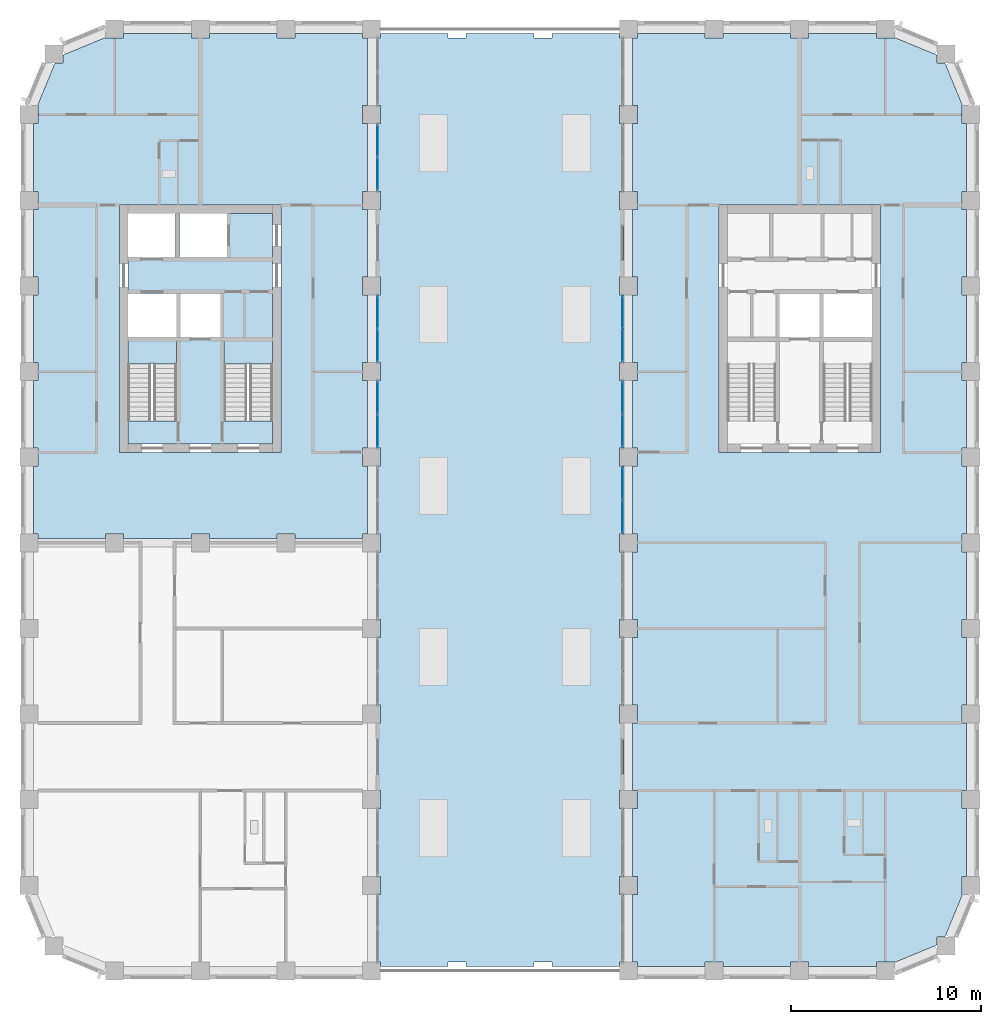
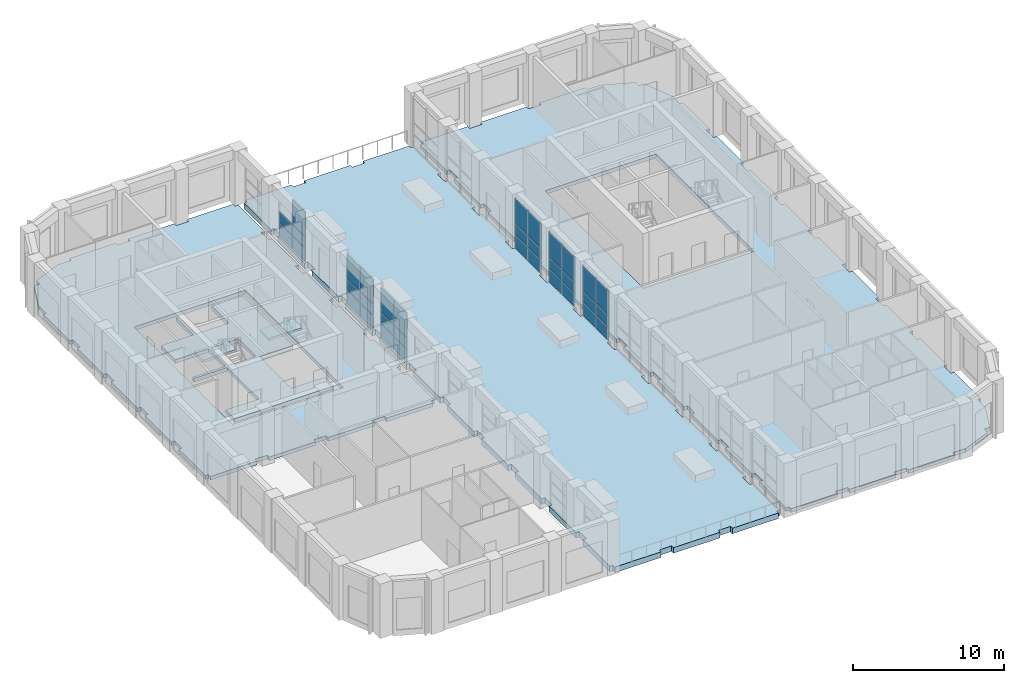
# One storey, part 8 of 20: 35 plates, 6 slabs, 8 elements without a shape of their own.
"""IFC4 building model written with IfcOpenShell, lengths in metres."""

from ifc_helpers import new_model, si_unit, direction, frame, origin, origin_2d, place, context, subcontext, project, spatial, polyline, rectangle, outline, extrude, material, layer, layer_set, type_object, element, aggregate, save


model = new_model("IFC4")

# Units and contexts
model_context = context("Model", 3, precision=1e-05, world=origin(), true_north=direction((0.0, 1.0)))
body_context = subcontext(model_context, "Body", "Model", "MODEL_VIEW")
ifc_project = project(units=[si_unit("LENGTHUNIT", "METRE"), si_unit("AREAUNIT", "SQUARE_METRE"), si_unit("VOLUMEUNIT", "CUBIC_METRE"), si_unit("PLANEANGLEUNIT", "RADIAN"), si_unit("MASSUNIT", "GRAM", prefix="KILO")], contexts=[model_context])

# Site, building, storey
site_placement = place(None, origin())
site = spatial("IfcSite", under=ifc_project, at=site_placement, CompositionType="ELEMENT")
building_placement = place(site_placement, origin())
building = spatial("IfcBuilding", under=site, at=building_placement, Name="Girih Gate Residences", CompositionType="ELEMENT")
storey_placement = place(building_placement, frame((0.0, 0.0, 146.199951171875)))
storey = spatial("IfcBuildingStorey", under=building, at=storey_placement, Name="L41", CompositionType="ELEMENT", Elevation=146.199951171875)

# Slab
ifc_material_1 = material(Name="Concrete C40/50", Category="concrete")
ifc_layer_1 = layer(ifc_material_1, 0.300048828125)
ifc_layer_set_1 = layer_set([ifc_layer_1], Name="Core floor slab 300")
slab_type_1 = type_object("IfcSlabType", Name="Core floor slab 300", PredefinedType="FLOOR", material=ifc_layer_set_1)
slab_1_placement = place(storey_placement, frame((0.0, 0.0, -0.300048828125)))
element("IfcSlab", 1, at=slab_1_placement, inside=storey, type_object=slab_type_1, Name="L41 W core floor", PredefinedType="FLOOR", context=body_context, shape_type="SweptSolid", body=[
    extrude(outline(polyline([(12.800048828125, 27.699951171875), (5.199951171875, 27.699951171875), (5.199951171875, 28.900634765625), (7.75, 28.900634765625), (7.75, 33.10009765625), (5.199951171875, 33.10009765625), (5.199951171875, 33.300048828125), (7.75, 33.300048828125), (7.75, 35.60009765625), (5.199951171875, 35.60009765625), (5.199951171875, 37.5), (7.699951171875, 37.5), (7.699951171875, 39.800048828125), (7.89990234375, 39.800048828125), (7.89990234375, 37.5), (10.39990234375, 37.5), (10.39990234375, 39.800048828125), (12.800048828125, 39.800048828125), (12.800048828125, 33.10009765625), (10.25, 33.10009765625), (10.25, 28.900634765625), (12.800048828125, 28.900634765625), (12.800048828125, 27.699951171875)]), holes=[polyline([(7.949951171875, 33.300048828125), (10.050048828125, 33.300048828125), (10.050048828125, 35.60009765625), (7.949951171875, 35.60009765625), (7.949951171875, 33.300048828125)])]), origin(), (0.0, 0.0, 1.0), 0.300048828125),
])

# Curtain wall, plates
ifc_material_2 = material(Name="Aluminium curtain wall frame", Category="aluminium")
curtain_wall_type = type_object("IfcCurtainWallType", Name="Curtain wall CW-3 sky lounge glazing", PredefinedType="NOTDEFINED", material=ifc_material_2)
curtain_wall_1_placement = place(storey_placement, origin())
curtain_wall_1 = element("IfcCurtainWall", 2, at=curtain_wall_1_placement, inside=storey, type_object=curtain_wall_type, Name="CW-3 Sky lounge glazing E0180_0000.6", PredefinedType="NOTDEFINED")
ifc_material_3 = material(Name="Triple glazed unit")
ifc_layer_2 = layer(ifc_material_3, 0.0439453125)
ifc_layer_set_2 = layer_set([ifc_layer_2], Name="Curtain wall glass panel 44")
plate_type = type_object("IfcPlateType", Name="Curtain wall glass panel 44", PredefinedType="CURTAIN_PANEL", material=ifc_layer_set_2)
plate_1_placement = place(storey_placement, frame((18.31494140625, 28.37744140625, 0.06005859375), z_axis=(0.0, 0.0, 1.0), x_axis=(0.0, 1.0, 0.0)))
plate_1 = element("IfcPlate", 3, at=plate_1_placement, type_object=plate_type, Name="CW-3 panel 1.1", PredefinedType="CURTAIN_PANEL", context=body_context, shape_type="SweptSolid", body=[
    extrude(rectangle(XDim=1.68505859375, YDim=0.028076171875, at=origin_2d()), origin(), (0.0, 0.0, 1.0), 1.06005859375),
])
plate_2_placement = place(storey_placement, frame((18.31494140625, 28.37744140625, 1.18017578125), z_axis=(0.0, 0.0, 1.0), x_axis=(0.0, 1.0, 0.0)))
plate_2 = element("IfcPlate", 4, at=plate_2_placement, type_object=plate_type, Name="CW-3 panel 1.2", PredefinedType="CURTAIN_PANEL", context=body_context, shape_type="SweptSolid", body=[
    extrude(rectangle(XDim=1.68505859375, YDim=0.028076171875, at=origin_2d()), origin(), (0.0, 0.0, 1.0), 0.864990234375),
])
plate_3_placement = place(storey_placement, frame((18.31494140625, 28.37744140625, 2.10498046875), z_axis=(0.0, 0.0, 1.0), x_axis=(0.0, 1.0, 0.0)))
plate_3 = element("IfcPlate", 5, at=plate_3_placement, type_object=plate_type, Name="CW-3 panel 1.3", PredefinedType="CURTAIN_PANEL", context=body_context, shape_type="SweptSolid", body=[
    extrude(rectangle(XDim=1.68505859375, YDim=0.028076171875, at=origin_2d()), origin(), (0.0, 0.0, 1.0), 1.985107421875),
])
plate_4_placement = place(storey_placement, frame((18.31494140625, 30.12255859375, 0.06005859375), z_axis=(0.0, 0.0, 1.0), x_axis=(0.0, 1.0, 0.0)))
plate_4 = element("IfcPlate", 6, at=plate_4_placement, type_object=plate_type, Name="CW-3 panel 2.1", PredefinedType="CURTAIN_PANEL", context=body_context, shape_type="SweptSolid", body=[
    extrude(rectangle(XDim=1.68505859375, YDim=0.028076171875, at=origin_2d()), origin(), (0.0, 0.0, 1.0), 1.06005859375),
])
plate_5_placement = place(storey_placement, frame((18.31494140625, 30.12255859375, 1.18017578125), z_axis=(0.0, 0.0, 1.0), x_axis=(0.0, 1.0, 0.0)))
plate_5 = element("IfcPlate", 7, at=plate_5_placement, type_object=plate_type, Name="CW-3 panel 2.2", PredefinedType="CURTAIN_PANEL", context=body_context, shape_type="SweptSolid", body=[
    extrude(rectangle(XDim=1.68505859375, YDim=0.028076171875, at=origin_2d()), origin(), (0.0, 0.0, 1.0), 0.864990234375),
])
plate_6_placement = place(storey_placement, frame((18.31494140625, 30.12255859375, 2.10498046875), z_axis=(0.0, 0.0, 1.0), x_axis=(0.0, 1.0, 0.0)))
plate_6 = element("IfcPlate", 8, at=plate_6_placement, type_object=plate_type, Name="CW-3 panel 2.3", PredefinedType="CURTAIN_PANEL", context=body_context, shape_type="SweptSolid", body=[
    extrude(rectangle(XDim=1.68505859375, YDim=0.028076171875, at=origin_2d()), origin(), (0.0, 0.0, 1.0), 1.985107421875),
])
aggregate(curtain_wall_1, [plate_1, plate_2, plate_3, plate_4, plate_5, plate_6])

curtain_wall_2_placement = place(storey_placement, origin())
curtain_wall_2 = element("IfcCurtainWall", 9, at=curtain_wall_2_placement, inside=storey, type_object=curtain_wall_type, Name="CW-3 Sky lounge glazing E0180_0000.7", PredefinedType="NOTDEFINED")
plate_7_placement = place(storey_placement, frame((18.31494140625, 32.87744140625, 0.06005859375), z_axis=(0.0, 0.0, 1.0), x_axis=(0.0, 1.0, 0.0)))
plate_7 = element("IfcPlate", 10, at=plate_7_placement, type_object=plate_type, Name="CW-3 panel 1.1", PredefinedType="CURTAIN_PANEL", context=body_context, shape_type="SweptSolid", body=[
    extrude(rectangle(XDim=1.68505859375, YDim=0.028076171875, at=origin_2d()), origin(), (0.0, 0.0, 1.0), 1.06005859375),
])
plate_8_placement = place(storey_placement, frame((18.31494140625, 32.87744140625, 1.18017578125), z_axis=(0.0, 0.0, 1.0), x_axis=(0.0, 1.0, 0.0)))
plate_8 = element("IfcPlate", 11, at=plate_8_placement, type_object=plate_type, Name="CW-3 panel 1.2", PredefinedType="CURTAIN_PANEL", context=body_context, shape_type="SweptSolid", body=[
    extrude(rectangle(XDim=1.68505859375, YDim=0.028076171875, at=origin_2d()), origin(), (0.0, 0.0, 1.0), 0.864990234375),
])
plate_9_placement = place(storey_placement, frame((18.31494140625, 32.87744140625, 2.10498046875), z_axis=(0.0, 0.0, 1.0), x_axis=(0.0, 1.0, 0.0)))
plate_9 = element("IfcPlate", 12, at=plate_9_placement, type_object=plate_type, Name="CW-3 panel 1.3", PredefinedType="CURTAIN_PANEL", context=body_context, shape_type="SweptSolid", body=[
    extrude(rectangle(XDim=1.68505859375, YDim=0.028076171875, at=origin_2d()), origin(), (0.0, 0.0, 1.0), 1.985107421875),
])
plate_10_placement = place(storey_placement, frame((18.31494140625, 34.62255859375, 0.06005859375), z_axis=(0.0, 0.0, 1.0), x_axis=(0.0, 1.0, 0.0)))
plate_10 = element("IfcPlate", 13, at=plate_10_placement, type_object=plate_type, Name="CW-3 panel 2.1", PredefinedType="CURTAIN_PANEL", context=body_context, shape_type="SweptSolid", body=[
    extrude(rectangle(XDim=1.68505859375, YDim=0.028076171875, at=origin_2d()), origin(), (0.0, 0.0, 1.0), 1.06005859375),
])
plate_11_placement = place(storey_placement, frame((18.31494140625, 34.62255859375, 1.18017578125), z_axis=(0.0, 0.0, 1.0), x_axis=(0.0, 1.0, 0.0)))
plate_11 = element("IfcPlate", 14, at=plate_11_placement, type_object=plate_type, Name="CW-3 panel 2.2", PredefinedType="CURTAIN_PANEL", context=body_context, shape_type="SweptSolid", body=[
    extrude(rectangle(XDim=1.68505859375, YDim=0.028076171875, at=origin_2d()), origin(), (0.0, 0.0, 1.0), 0.864990234375),
])
plate_12_placement = place(storey_placement, frame((18.31494140625, 34.62255859375, 2.10498046875), z_axis=(0.0, 0.0, 1.0), x_axis=(0.0, 1.0, 0.0)))
plate_12 = element("IfcPlate", 15, at=plate_12_placement, type_object=plate_type, Name="CW-3 panel 2.3", PredefinedType="CURTAIN_PANEL", context=body_context, shape_type="SweptSolid", body=[
    extrude(rectangle(XDim=1.68505859375, YDim=0.028076171875, at=origin_2d()), origin(), (0.0, 0.0, 1.0), 1.985107421875),
])
aggregate(curtain_wall_2, [plate_7, plate_8, plate_9, plate_10, plate_11, plate_12])

curtain_wall_3_placement = place(storey_placement, origin())
curtain_wall_3 = element("IfcCurtainWall", 16, at=curtain_wall_3_placement, inside=storey, type_object=curtain_wall_type, Name="CW-3 Sky lounge glazing E0180_0000.9", PredefinedType="NOTDEFINED")
plate_13_placement = place(storey_placement, frame((18.31494140625, 41.87744140625, 0.06005859375), z_axis=(0.0, 0.0, 1.0), x_axis=(0.0, 1.0, 0.0)))
plate_13 = element("IfcPlate", 17, at=plate_13_placement, type_object=plate_type, Name="CW-3 panel 1.1", PredefinedType="CURTAIN_PANEL", context=body_context, shape_type="SweptSolid", body=[
    extrude(rectangle(XDim=1.68505859375, YDim=0.028076171875, at=origin_2d()), origin(), (0.0, 0.0, 1.0), 1.06005859375),
])
plate_14_placement = place(storey_placement, frame((18.31494140625, 41.87744140625, 1.18017578125), z_axis=(0.0, 0.0, 1.0), x_axis=(0.0, 1.0, 0.0)))
plate_14 = element("IfcPlate", 18, at=plate_14_placement, type_object=plate_type, Name="CW-3 panel 1.2", PredefinedType="CURTAIN_PANEL", context=body_context, shape_type="SweptSolid", body=[
    extrude(rectangle(XDim=1.68505859375, YDim=0.028076171875, at=origin_2d()), origin(), (0.0, 0.0, 1.0), 0.864990234375),
])
plate_15_placement = place(storey_placement, frame((18.31494140625, 41.87744140625, 2.10498046875), z_axis=(0.0, 0.0, 1.0), x_axis=(0.0, 1.0, 0.0)))
plate_15 = element("IfcPlate", 19, at=plate_15_placement, type_object=plate_type, Name="CW-3 panel 1.3", PredefinedType="CURTAIN_PANEL", context=body_context, shape_type="SweptSolid", body=[
    extrude(rectangle(XDim=1.68505859375, YDim=0.028076171875, at=origin_2d()), origin(), (0.0, 0.0, 1.0), 1.985107421875),
])
plate_16_placement = place(storey_placement, frame((18.31494140625, 43.62255859375, 0.06005859375), z_axis=(0.0, 0.0, 1.0), x_axis=(0.0, 1.0, 0.0)))
plate_16 = element("IfcPlate", 20, at=plate_16_placement, type_object=plate_type, Name="CW-3 panel 2.1", PredefinedType="CURTAIN_PANEL", context=body_context, shape_type="SweptSolid", body=[
    extrude(rectangle(XDim=1.68505859375, YDim=0.028076171875, at=origin_2d()), origin(), (0.0, 0.0, 1.0), 1.06005859375),
])
plate_17_placement = place(storey_placement, frame((18.31494140625, 43.62255859375, 1.18017578125), z_axis=(0.0, 0.0, 1.0), x_axis=(0.0, 1.0, 0.0)))
plate_17 = element("IfcPlate", 21, at=plate_17_placement, type_object=plate_type, Name="CW-3 panel 2.2", PredefinedType="CURTAIN_PANEL", context=body_context, shape_type="SweptSolid", body=[
    extrude(rectangle(XDim=1.68505859375, YDim=0.028076171875, at=origin_2d()), origin(), (0.0, 0.0, 1.0), 0.864990234375),
])
aggregate(curtain_wall_3, [plate_13, plate_14, plate_15, plate_16, plate_17])

curtain_wall_4_placement = place(storey_placement, origin())
curtain_wall_4 = element("IfcCurtainWall", 22, at=curtain_wall_4_placement, inside=storey, type_object=curtain_wall_type, Name="CW-3 Sky lounge glazing W0315_0495.3", PredefinedType="NOTDEFINED")
plate_18_placement = place(storey_placement, frame((31.18505859375, 34.62255859375, 0.06005859375), z_axis=(0.0, 0.0, 1.0), x_axis=(0.0, -1.0, 0.0)))
plate_18 = element("IfcPlate", 23, at=plate_18_placement, type_object=plate_type, Name="CW-3 panel 1.1", PredefinedType="CURTAIN_PANEL", context=body_context, shape_type="SweptSolid", body=[
    extrude(rectangle(XDim=1.68505859375, YDim=0.028076171875, at=origin_2d()), origin(), (0.0, 0.0, 1.0), 1.06005859375),
])
plate_19_placement = place(storey_placement, frame((31.18505859375, 34.62255859375, 1.18017578125), z_axis=(0.0, 0.0, 1.0), x_axis=(0.0, -1.0, 0.0)))
plate_19 = element("IfcPlate", 24, at=plate_19_placement, type_object=plate_type, Name="CW-3 panel 1.2", PredefinedType="CURTAIN_PANEL", context=body_context, shape_type="SweptSolid", body=[
    extrude(rectangle(XDim=1.68505859375, YDim=0.028076171875, at=origin_2d()), origin(), (0.0, 0.0, 1.0), 0.864990234375),
])
plate_20_placement = place(storey_placement, frame((31.18505859375, 34.62255859375, 2.10498046875), z_axis=(0.0, 0.0, 1.0), x_axis=(0.0, -1.0, 0.0)))
plate_20 = element("IfcPlate", 25, at=plate_20_placement, type_object=plate_type, Name="CW-3 panel 1.3", PredefinedType="CURTAIN_PANEL", context=body_context, shape_type="SweptSolid", body=[
    extrude(rectangle(XDim=1.68505859375, YDim=0.028076171875, at=origin_2d()), origin(), (0.0, 0.0, 1.0), 1.985107421875),
])
plate_21_placement = place(storey_placement, frame((31.18505859375, 32.87744140625, 0.06005859375), z_axis=(0.0, 0.0, 1.0), x_axis=(0.0, -1.0, 0.0)))
plate_21 = element("IfcPlate", 26, at=plate_21_placement, type_object=plate_type, Name="CW-3 panel 2.1", PredefinedType="CURTAIN_PANEL", context=body_context, shape_type="SweptSolid", body=[
    extrude(rectangle(XDim=1.68505859375, YDim=0.028076171875, at=origin_2d()), origin(), (0.0, 0.0, 1.0), 1.06005859375),
])
plate_22_placement = place(storey_placement, frame((31.18505859375, 32.87744140625, 1.18017578125), z_axis=(0.0, 0.0, 1.0), x_axis=(0.0, -1.0, 0.0)))
plate_22 = element("IfcPlate", 27, at=plate_22_placement, type_object=plate_type, Name="CW-3 panel 2.2", PredefinedType="CURTAIN_PANEL", context=body_context, shape_type="SweptSolid", body=[
    extrude(rectangle(XDim=1.68505859375, YDim=0.028076171875, at=origin_2d()), origin(), (0.0, 0.0, 1.0), 0.864990234375),
])
plate_23_placement = place(storey_placement, frame((31.18505859375, 32.87744140625, 2.10498046875), z_axis=(0.0, 0.0, 1.0), x_axis=(0.0, -1.0, 0.0)))
plate_23 = element("IfcPlate", 28, at=plate_23_placement, type_object=plate_type, Name="CW-3 panel 2.3", PredefinedType="CURTAIN_PANEL", context=body_context, shape_type="SweptSolid", body=[
    extrude(rectangle(XDim=1.68505859375, YDim=0.028076171875, at=origin_2d()), origin(), (0.0, 0.0, 1.0), 1.985107421875),
])
aggregate(curtain_wall_4, [plate_18, plate_19, plate_20, plate_21, plate_22, plate_23])

curtain_wall_5_placement = place(storey_placement, origin())
curtain_wall_5 = element("IfcCurtainWall", 29, at=curtain_wall_5_placement, inside=storey, type_object=curtain_wall_type, Name="CW-3 Sky lounge glazing W0315_0495.4", PredefinedType="NOTDEFINED")
plate_24_placement = place(storey_placement, frame((31.18505859375, 30.12255859375, 0.06005859375), z_axis=(0.0, 0.0, 1.0), x_axis=(0.0, -1.0, 0.0)))
plate_24 = element("IfcPlate", 30, at=plate_24_placement, type_object=plate_type, Name="CW-3 panel 1.1", PredefinedType="CURTAIN_PANEL", context=body_context, shape_type="SweptSolid", body=[
    extrude(rectangle(XDim=1.68505859375, YDim=0.028076171875, at=origin_2d()), origin(), (0.0, 0.0, 1.0), 1.06005859375),
])
plate_25_placement = place(storey_placement, frame((31.18505859375, 30.12255859375, 1.18017578125), z_axis=(0.0, 0.0, 1.0), x_axis=(0.0, -1.0, 0.0)))
plate_25 = element("IfcPlate", 31, at=plate_25_placement, type_object=plate_type, Name="CW-3 panel 1.2", PredefinedType="CURTAIN_PANEL", context=body_context, shape_type="SweptSolid", body=[
    extrude(rectangle(XDim=1.68505859375, YDim=0.028076171875, at=origin_2d()), origin(), (0.0, 0.0, 1.0), 0.864990234375),
])
plate_26_placement = place(storey_placement, frame((31.18505859375, 30.12255859375, 2.10498046875), z_axis=(0.0, 0.0, 1.0), x_axis=(0.0, -1.0, 0.0)))
plate_26 = element("IfcPlate", 32, at=plate_26_placement, type_object=plate_type, Name="CW-3 panel 1.3", PredefinedType="CURTAIN_PANEL", context=body_context, shape_type="SweptSolid", body=[
    extrude(rectangle(XDim=1.68505859375, YDim=0.028076171875, at=origin_2d()), origin(), (0.0, 0.0, 1.0), 1.985107421875),
])
plate_27_placement = place(storey_placement, frame((31.18505859375, 28.37744140625, 0.06005859375), z_axis=(0.0, 0.0, 1.0), x_axis=(0.0, -1.0, 0.0)))
plate_27 = element("IfcPlate", 33, at=plate_27_placement, type_object=plate_type, Name="CW-3 panel 2.1", PredefinedType="CURTAIN_PANEL", context=body_context, shape_type="SweptSolid", body=[
    extrude(rectangle(XDim=1.68505859375, YDim=0.028076171875, at=origin_2d()), origin(), (0.0, 0.0, 1.0), 1.06005859375),
])
plate_28_placement = place(storey_placement, frame((31.18505859375, 28.37744140625, 1.18017578125), z_axis=(0.0, 0.0, 1.0), x_axis=(0.0, -1.0, 0.0)))
plate_28 = element("IfcPlate", 34, at=plate_28_placement, type_object=plate_type, Name="CW-3 panel 2.2", PredefinedType="CURTAIN_PANEL", context=body_context, shape_type="SweptSolid", body=[
    extrude(rectangle(XDim=1.68505859375, YDim=0.028076171875, at=origin_2d()), origin(), (0.0, 0.0, 1.0), 0.864990234375),
])
plate_29_placement = place(storey_placement, frame((31.18505859375, 28.37744140625, 2.10498046875), z_axis=(0.0, 0.0, 1.0), x_axis=(0.0, -1.0, 0.0)))
plate_29 = element("IfcPlate", 35, at=plate_29_placement, type_object=plate_type, Name="CW-3 panel 2.3", PredefinedType="CURTAIN_PANEL", context=body_context, shape_type="SweptSolid", body=[
    extrude(rectangle(XDim=1.68505859375, YDim=0.028076171875, at=origin_2d()), origin(), (0.0, 0.0, 1.0), 1.985107421875),
])
aggregate(curtain_wall_5, [plate_24, plate_25, plate_26, plate_27, plate_28, plate_29])

curtain_wall_6_placement = place(storey_placement, origin())
curtain_wall_6 = element("IfcCurtainWall", 36, at=curtain_wall_6_placement, inside=storey, type_object=curtain_wall_type, Name="CW-3 Sky lounge glazing W0315_0495.5", PredefinedType="NOTDEFINED")
plate_30_placement = place(storey_placement, frame((31.18505859375, 25.62255859375, 0.06005859375), z_axis=(0.0, 0.0, 1.0), x_axis=(0.0, -1.0, 0.0)))
plate_30 = element("IfcPlate", 37, at=plate_30_placement, type_object=plate_type, Name="CW-3 panel 1.1", PredefinedType="CURTAIN_PANEL", context=body_context, shape_type="SweptSolid", body=[
    extrude(rectangle(XDim=1.68505859375, YDim=0.028076171875, at=origin_2d()), origin(), (0.0, 0.0, 1.0), 1.06005859375),
])
plate_31_placement = place(storey_placement, frame((31.18505859375, 25.62255859375, 1.18017578125), z_axis=(0.0, 0.0, 1.0), x_axis=(0.0, -1.0, 0.0)))
plate_31 = element("IfcPlate", 38, at=plate_31_placement, type_object=plate_type, Name="CW-3 panel 1.2", PredefinedType="CURTAIN_PANEL", context=body_context, shape_type="SweptSolid", body=[
    extrude(rectangle(XDim=1.68505859375, YDim=0.028076171875, at=origin_2d()), origin(), (0.0, 0.0, 1.0), 0.864990234375),
])
plate_32_placement = place(storey_placement, frame((31.18505859375, 25.62255859375, 2.10498046875), z_axis=(0.0, 0.0, 1.0), x_axis=(0.0, -1.0, 0.0)))
plate_32 = element("IfcPlate", 39, at=plate_32_placement, type_object=plate_type, Name="CW-3 panel 1.3", PredefinedType="CURTAIN_PANEL", context=body_context, shape_type="SweptSolid", body=[
    extrude(rectangle(XDim=1.68505859375, YDim=0.028076171875, at=origin_2d()), origin(), (0.0, 0.0, 1.0), 1.985107421875),
])
plate_33_placement = place(storey_placement, frame((31.18505859375, 23.87744140625, 0.06005859375), z_axis=(0.0, 0.0, 1.0), x_axis=(0.0, -1.0, 0.0)))
plate_33 = element("IfcPlate", 40, at=plate_33_placement, type_object=plate_type, Name="CW-3 panel 2.1", PredefinedType="CURTAIN_PANEL", context=body_context, shape_type="SweptSolid", body=[
    extrude(rectangle(XDim=1.68505859375, YDim=0.028076171875, at=origin_2d()), origin(), (0.0, 0.0, 1.0), 1.06005859375),
])
plate_34_placement = place(storey_placement, frame((31.18505859375, 23.87744140625, 1.18017578125), z_axis=(0.0, 0.0, 1.0), x_axis=(0.0, -1.0, 0.0)))
plate_34 = element("IfcPlate", 41, at=plate_34_placement, type_object=plate_type, Name="CW-3 panel 2.2", PredefinedType="CURTAIN_PANEL", context=body_context, shape_type="SweptSolid", body=[
    extrude(rectangle(XDim=1.68505859375, YDim=0.028076171875, at=origin_2d()), origin(), (0.0, 0.0, 1.0), 0.864990234375),
])
plate_35_placement = place(storey_placement, frame((31.18505859375, 23.87744140625, 2.10498046875), z_axis=(0.0, 0.0, 1.0), x_axis=(0.0, -1.0, 0.0)))
plate_35 = element("IfcPlate", 42, at=plate_35_placement, type_object=plate_type, Name="CW-3 panel 2.3", PredefinedType="CURTAIN_PANEL", context=body_context, shape_type="SweptSolid", body=[
    extrude(rectangle(XDim=1.68505859375, YDim=0.028076171875, at=origin_2d()), origin(), (0.0, 0.0, 1.0), 1.985107421875),
])
aggregate(curtain_wall_6, [plate_30, plate_31, plate_32, plate_33, plate_34, plate_35])

# Slabs
ifc_layer_3 = layer(ifc_material_1, 0.300048828125)
ifc_layer_set_3 = layer_set([ifc_layer_3], Name="Floor slab PT 300 Concrete C40/50")
slab_type_2 = type_object("IfcSlabType", Name="Floor slab PT 300 Concrete C40/50", PredefinedType="FLOOR", material=ifc_layer_set_3)
slab_2_placement = place(storey_placement, frame((0.0, 0.0, -0.300048828125)))
element("IfcSlab", 43, at=slab_2_placement, inside=storey, type_object=slab_type_2, Name="Floor slab L41 1", PredefinedType="FLOOR", context=body_context, shape_type="SweptSolid", body=[
    extrude(outline(polyline([(35.52490234375, 49.27490234375), (31.97509765625, 49.27490234375), (31.97509765625, 49.02490234375), (31.72509765625, 49.02490234375), (31.72509765625, 45.47509765625), (31.97509765625, 45.47509765625), (31.97509765625, 44.52490234375), (31.72509765625, 44.52490234375), (31.72509765625, 40.97509765625), (31.97509765625, 40.97509765625), (31.97509765625, 40.02490234375), (31.72509765625, 40.02490234375), (31.72509765625, 36.47509765625), (31.97509765625, 36.47509765625), (31.97509765625, 35.52490234375), (31.72509765625, 35.52490234375), (31.72509765625, 31.97509765625), (31.97509765625, 31.97509765625), (31.97509765625, 31.02490234375), (31.72509765625, 31.02490234375), (31.72509765625, 27.47509765625), (31.97509765625, 27.47509765625), (31.97509765625, 26.52490234375), (31.72509765625, 26.52490234375), (31.72509765625, 22.97509765625), (31.97509765625, 22.97509765625), (31.97509765625, 22.02490234375), (31.72509765625, 22.02490234375), (31.72509765625, 18.47509765625), (31.97509765625, 18.47509765625), (31.97509765625, 17.52490234375), (31.72509765625, 17.52490234375), (31.72509765625, 13.97509765625), (31.97509765625, 13.97509765625), (31.97509765625, 13.02490234375), (31.72509765625, 13.02490234375), (31.72509765625, 9.47509765625), (31.97509765625, 9.47509765625), (31.97509765625, 8.52490234375), (31.72509765625, 8.52490234375), (31.72509765625, 4.97509765625), (31.97509765625, 4.97509765625), (31.97509765625, 4.02490234375), (31.72509765625, 4.02490234375), (31.72509765625, 0.47509765625), (31.97509765625, 0.47509765625), (31.97509765625, 0.22509765625), (35.52490234375, 0.22509765625), (35.52490234375, 0.47509765625), (36.47509765625, 0.47509765625), (36.47509765625, 0.22509765625), (40.02490234375, 0.22509765625), (40.02490234375, 0.47509765625), (40.97509765625, 0.47509765625), (40.97509765625, 0.22509765625), (44.52490234375, 0.22509765625), (44.52490234375, 0.47509765625), (45.47509765625, 0.47509765625), (45.47509765625, 0.440185546875), (47.70703125, 1.36474609375), (47.70703125, 1.79296875), (48.13525390625, 1.79296875), (49.059814453125, 4.02490234375), (49.02490234375, 4.02490234375), (49.02490234375, 4.97509765625), (49.27490234375, 4.97509765625), (49.27490234375, 8.52490234375), (49.02490234375, 8.52490234375), (49.02490234375, 9.47509765625), (49.27490234375, 9.47509765625), (49.27490234375, 13.02490234375), (49.02490234375, 13.02490234375), (49.02490234375, 13.97509765625), (49.27490234375, 13.97509765625), (49.27490234375, 17.52490234375), (49.02490234375, 17.52490234375), (49.02490234375, 18.47509765625), (49.27490234375, 18.47509765625), (49.27490234375, 22.02490234375), (49.02490234375, 22.02490234375), (49.02490234375, 22.97509765625), (49.27490234375, 22.97509765625), (49.27490234375, 26.52490234375), (49.02490234375, 26.52490234375), (49.02490234375, 27.47509765625), (49.27490234375, 27.47509765625), (49.27490234375, 31.02490234375), (49.02490234375, 31.02490234375), (49.02490234375, 31.97509765625), (49.27490234375, 31.97509765625), (49.27490234375, 35.52490234375), (49.02490234375, 35.52490234375), (49.02490234375, 36.47509765625), (49.27490234375, 36.47509765625), (49.27490234375, 40.02490234375), (49.02490234375, 40.02490234375), (49.02490234375, 40.97509765625), (49.27490234375, 40.97509765625), (49.27490234375, 44.52490234375), (49.02490234375, 44.52490234375), (49.02490234375, 45.47509765625), (49.059814453125, 45.47509765625), (48.13525390625, 47.70703125), (47.70703125, 47.70703125), (47.70703125, 48.13525390625), (45.47509765625, 49.059814453125), (45.47509765625, 49.02490234375), (44.52490234375, 49.02490234375), (44.52490234375, 49.27490234375), (40.97509765625, 49.27490234375), (40.97509765625, 49.02490234375), (40.02490234375, 49.02490234375), (40.02490234375, 49.27490234375), (36.47509765625, 49.27490234375), (36.47509765625, 49.02490234375), (35.52490234375, 49.02490234375), (35.52490234375, 49.27490234375)]), holes=[polyline([(44.75, 40.25), (44.75, 27.25), (36.25, 27.25), (36.25, 40.25), (44.75, 40.25)])]), origin(), (0.0, 0.0, 1.0), 0.300048828125),
])
slab_3_placement = place(storey_placement, frame((0.0, 0.0, -0.300048828125)))
element("IfcSlab", 44, at=slab_3_placement, inside=storey, type_object=slab_type_2, Name="Floor slab L41 2", PredefinedType="FLOOR", context=body_context, shape_type="SweptSolid", body=[
    extrude(outline(polyline([(0.22509765625, 26.52490234375), (0.22509765625, 22.97509765625), (0.47509765625, 22.97509765625), (0.47509765625, 22.72509765625), (4.02490234375, 22.72509765625), (4.02490234375, 22.97509765625), (4.97509765625, 22.97509765625), (4.97509765625, 22.72509765625), (8.52490234375, 22.72509765625), (8.52490234375, 22.97509765625), (9.47509765625, 22.97509765625), (9.47509765625, 22.72509765625), (13.02490234375, 22.72509765625), (13.02490234375, 22.97509765625), (13.97509765625, 22.97509765625), (13.97509765625, 22.72509765625), (17.52490234375, 22.72509765625), (17.52490234375, 22.97509765625), (17.77490234375, 22.97509765625), (17.77490234375, 26.52490234375), (17.52490234375, 26.52490234375), (17.52490234375, 27.47509765625), (17.77490234375, 27.47509765625), (17.77490234375, 31.02490234375), (17.52490234375, 31.02490234375), (17.52490234375, 31.97509765625), (17.77490234375, 31.97509765625), (17.77490234375, 35.52490234375), (17.52490234375, 35.52490234375), (17.52490234375, 36.47509765625), (17.77490234375, 36.47509765625), (17.77490234375, 40.02490234375), (17.52490234375, 40.02490234375), (17.52490234375, 40.97509765625), (17.77490234375, 40.97509765625), (17.77490234375, 44.52490234375), (17.52490234375, 44.52490234375), (17.52490234375, 45.47509765625), (17.77490234375, 45.47509765625), (17.77490234375, 49.02490234375), (17.52490234375, 49.02490234375), (17.52490234375, 49.27490234375), (13.97509765625, 49.27490234375), (13.97509765625, 49.02490234375), (13.02490234375, 49.02490234375), (13.02490234375, 49.27490234375), (9.47509765625, 49.27490234375), (9.47509765625, 49.02490234375), (8.52490234375, 49.02490234375), (8.52490234375, 49.27490234375), (4.97509765625, 49.27490234375), (4.97509765625, 49.02490234375), (4.02490234375, 49.02490234375), (4.02490234375, 49.059814453125), (1.79296875, 48.13525390625), (1.79296875, 47.70703125), (1.36474609375, 47.70703125), (0.440185546875, 45.47509765625), (0.47509765625, 45.47509765625), (0.47509765625, 44.52490234375), (0.22509765625, 44.52490234375), (0.22509765625, 40.97509765625), (0.47509765625, 40.97509765625), (0.47509765625, 40.02490234375), (0.22509765625, 40.02490234375), (0.22509765625, 36.47509765625), (0.47509765625, 36.47509765625), (0.47509765625, 35.52490234375), (0.22509765625, 35.52490234375), (0.22509765625, 31.97509765625), (0.47509765625, 31.97509765625), (0.47509765625, 31.02490234375), (0.22509765625, 31.02490234375), (0.22509765625, 27.47509765625), (0.47509765625, 27.47509765625), (0.47509765625, 26.52490234375), (0.22509765625, 26.52490234375)]), holes=[polyline([(13.25, 40.25), (13.25, 27.25), (4.75, 27.25), (4.75, 40.25), (13.25, 40.25)])]), origin(), (0.0, 0.0, 1.0), 0.300048828125),
])

# Stair, slab
stair_type = type_object("IfcStairType", Name="Exit stair", PredefinedType="HALF_TURN_STAIR", material=ifc_material_1)
stair_1_placement = place(storey_placement, origin())
stair_1 = element("IfcStair", 45, at=stair_1_placement, inside=storey, type_object=stair_type, Name="L41 Exit Stair ST-W1", PredefinedType="HALF_TURN_STAIR")
ifc_layer_4 = layer(ifc_material_1, 0.199951171875)
ifc_layer_set_4 = layer_set([ifc_layer_4], Name="Stair landing 200")
slab_type_3 = type_object("IfcSlabType", Name="Stair landing 200", PredefinedType="LANDING", material=ifc_layer_set_4)
slab_4_placement = place(storey_placement, frame((0.0, 0.0, 2.0)))
slab_4 = element("IfcSlab", 46, at=slab_4_placement, type_object=slab_type_3, Name="ST-W1 landing 1", PredefinedType="LANDING", context=body_context, shape_type="SweptSolid", body=[
    extrude(outline(polyline([(7.75, 31.89990234375), (7.75, 33.10009765625), (5.199951171875, 33.10009765625), (5.199951171875, 31.89990234375), (7.75, 31.89990234375)])), origin(), (0.0, 0.0, 1.0), 0.199951171875),
])
aggregate(stair_1, [slab_4])

stair_2_placement = place(storey_placement, origin())
stair_2 = element("IfcStair", 47, at=stair_2_placement, inside=storey, type_object=stair_type, Name="L41 Exit Stair ST-W2", PredefinedType="HALF_TURN_STAIR")
slab_5_placement = place(storey_placement, frame((0.0, 0.0, 2.0)))
slab_5 = element("IfcSlab", 48, at=slab_5_placement, type_object=slab_type_3, Name="ST-W2 landing 1", PredefinedType="LANDING", context=body_context, shape_type="SweptSolid", body=[
    extrude(outline(polyline([(12.800048828125, 31.89990234375), (12.800048828125, 33.10009765625), (10.25, 33.10009765625), (10.25, 31.89990234375), (12.800048828125, 31.89990234375)])), origin(), (0.0, 0.0, 1.0), 0.199951171875),
])
aggregate(stair_2, [slab_5])

# Slab
ifc_layer_5 = layer(ifc_material_1, 0.449951171875)
ifc_layer_set_5 = layer_set([ifc_layer_5], Name="Terrace slab RC 450 Concrete C40/50")
slab_type_4 = type_object("IfcSlabType", Name="Terrace slab RC 450 Concrete C40/50", PredefinedType="FLOOR", material=ifc_layer_set_5)
slab_6_placement = place(storey_placement, frame((0.0, 0.0, -0.449951171875)))
element("IfcSlab", 49, at=slab_6_placement, inside=storey, type_object=slab_type_4, Name="Terrace slab L41 0", PredefinedType="FLOOR", context=body_context, shape_type="SweptSolid", body=[
    extrude(outline(polyline([(27.47509765625, 0.22509765625), (31.02490234375, 0.22509765625), (31.02490234375, 0.47509765625), (31.27490234375, 0.47509765625), (31.27490234375, 4.02490234375), (31.02490234375, 4.02490234375), (31.02490234375, 4.97509765625), (31.27490234375, 4.97509765625), (31.27490234375, 8.52490234375), (31.02490234375, 8.52490234375), (31.02490234375, 9.47509765625), (31.27490234375, 9.47509765625), (31.27490234375, 13.02490234375), (31.02490234375, 13.02490234375), (31.02490234375, 13.97509765625), (31.27490234375, 13.97509765625), (31.27490234375, 17.52490234375), (31.02490234375, 17.52490234375), (31.02490234375, 18.47509765625), (31.27490234375, 18.47509765625), (31.27490234375, 22.02490234375), (31.02490234375, 22.02490234375), (31.02490234375, 22.97509765625), (31.27490234375, 22.97509765625), (31.27490234375, 26.52490234375), (31.02490234375, 26.52490234375), (31.02490234375, 27.47509765625), (31.27490234375, 27.47509765625), (31.27490234375, 31.02490234375), (31.02490234375, 31.02490234375), (31.02490234375, 31.97509765625), (31.27490234375, 31.97509765625), (31.27490234375, 35.52490234375), (31.02490234375, 35.52490234375), (31.02490234375, 36.47509765625), (31.27490234375, 36.47509765625), (31.27490234375, 40.02490234375), (31.02490234375, 40.02490234375), (31.02490234375, 40.97509765625), (31.27490234375, 40.97509765625), (31.27490234375, 44.52490234375), (31.02490234375, 44.52490234375), (31.02490234375, 45.47509765625), (31.27490234375, 45.47509765625), (31.27490234375, 49.02490234375), (31.02490234375, 49.02490234375), (31.02490234375, 49.27490234375), (27.47509765625, 49.27490234375), (27.47509765625, 49.02490234375), (26.52490234375, 49.02490234375), (26.52490234375, 49.27490234375), (22.97509765625, 49.27490234375), (22.97509765625, 49.02490234375), (22.02490234375, 49.02490234375), (22.02490234375, 49.27490234375), (18.47509765625, 49.27490234375), (18.47509765625, 49.02490234375), (18.22509765625, 49.02490234375), (18.22509765625, 45.47509765625), (18.47509765625, 45.47509765625), (18.47509765625, 44.52490234375), (18.22509765625, 44.52490234375), (18.22509765625, 40.97509765625), (18.47509765625, 40.97509765625), (18.47509765625, 40.02490234375), (18.22509765625, 40.02490234375), (18.22509765625, 36.47509765625), (18.47509765625, 36.47509765625), (18.47509765625, 35.52490234375), (18.22509765625, 35.52490234375), (18.22509765625, 31.97509765625), (18.47509765625, 31.97509765625), (18.47509765625, 31.02490234375), (18.22509765625, 31.02490234375), (18.22509765625, 27.47509765625), (18.47509765625, 27.47509765625), (18.47509765625, 26.52490234375), (18.22509765625, 26.52490234375), (18.22509765625, 22.97509765625), (18.47509765625, 22.97509765625), (18.47509765625, 22.02490234375), (18.22509765625, 22.02490234375), (18.22509765625, 18.47509765625), (18.47509765625, 18.47509765625), (18.47509765625, 17.52490234375), (18.22509765625, 17.52490234375), (18.22509765625, 13.97509765625), (18.47509765625, 13.97509765625), (18.47509765625, 13.02490234375), (18.22509765625, 13.02490234375), (18.22509765625, 9.47509765625), (18.47509765625, 9.47509765625), (18.47509765625, 8.52490234375), (18.22509765625, 8.52490234375), (18.22509765625, 4.97509765625), (18.47509765625, 4.97509765625), (18.47509765625, 4.02490234375), (18.22509765625, 4.02490234375), (18.22509765625, 0.47509765625), (18.47509765625, 0.47509765625), (18.47509765625, 0.22509765625), (22.02490234375, 0.22509765625), (22.02490234375, 0.47509765625), (22.97509765625, 0.47509765625), (22.97509765625, 0.22509765625), (26.52490234375, 0.22509765625), (26.52490234375, 0.47509765625), (27.47509765625, 0.47509765625), (27.47509765625, 0.22509765625)])), origin(), (0.0, 0.0, 1.0), 0.449951171875),
])

save(model, "model.ifc")
